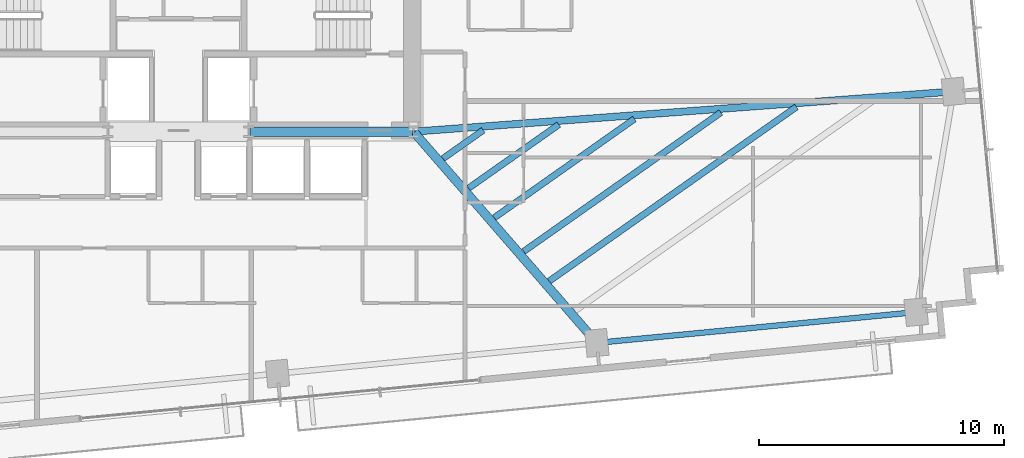
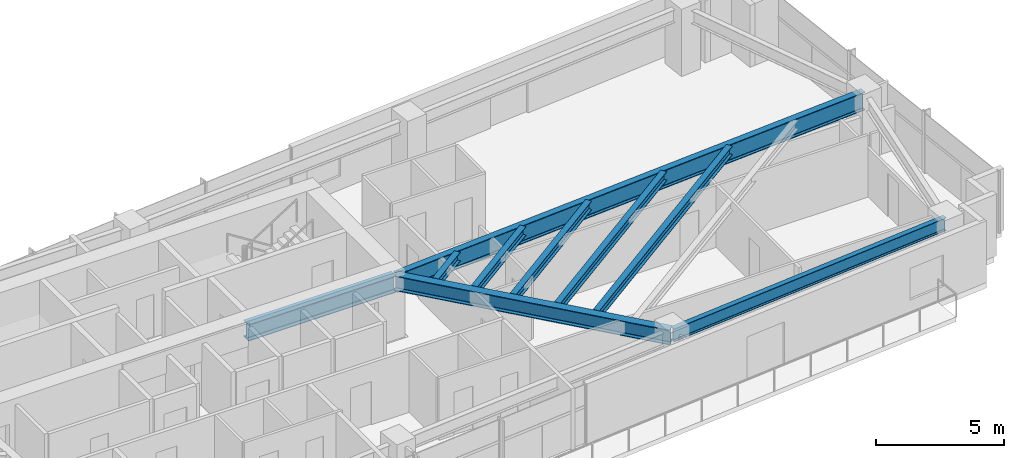
# One storey, part 13 of 27: 9 beams.
"""IFC4 building model written with IfcOpenShell, lengths in metres."""

from ifc_helpers import new_model, si_unit, direction, frame, origin, origin_2d, place, context, subcontext, project, spatial, i_section, extrude, source, transform, mapped, material, material_profile, profile_set, type_object, type_shapes, element, save


model = new_model("IFC4")

# Units and contexts
model_context = context("Model", 3, precision=1e-05, world=origin(), true_north=direction((0.0, 1.0)))
body_context = subcontext(model_context, "Body", "Model", "MODEL_VIEW")
ifc_project = project(units=[si_unit("LENGTHUNIT", "METRE"), si_unit("AREAUNIT", "SQUARE_METRE"), si_unit("VOLUMEUNIT", "CUBIC_METRE"), si_unit("PLANEANGLEUNIT", "RADIAN"), si_unit("MASSUNIT", "GRAM", prefix="KILO")], contexts=[model_context])

# Site, building, storey
site_placement = place(None, origin())
site = spatial("IfcSite", under=ifc_project, at=site_placement, CompositionType="ELEMENT")
building_placement = place(site_placement, origin())
building = spatial("IfcBuilding", under=site, at=building_placement, Name="Astriad Promenade Condominiums", CompositionType="ELEMENT")
storey_placement = place(building_placement, frame((0.0, 0.0, 113.0)))
storey = spatial("IfcBuildingStorey", under=building, at=storey_placement, Name="L32", CompositionType="ELEMENT", Elevation=113.0)

# Beams
ifc_material = material(Name="Steel ASTM A992 Grade 50", Category="steel")
ifc_material_profile_1 = material_profile(ifc_material, i_section(OverallWidth=0.3837890625, OverallDepth=0.785888671875, WebThickness=0.019775390625, FlangeThickness=0.033447265625, FilletRadius=0.021484375, at=origin_2d()), Name="W30X211")
ifc_profile_set_1 = profile_set([ifc_material_profile_1], Name="Steel ASTM A992 Grade 50")
beam_type_1 = type_object("IfcBeamType", Name="STEEL FLOOR GIRDER W30X211", PredefinedType="BEAM", material=ifc_profile_set_1)
shared_shape_1 = source(origin(), body_context, "Body", "SweptSolid", [
    extrude(i_section(OverallWidth=0.3837890625, OverallDepth=0.785888671875, WebThickness=0.019775390625, FlangeThickness=0.033447265625, FilletRadius=0.021484375, at=origin_2d()), origin(), (0.0, 0.0, 1.0), 6.64013671875),
])
type_shapes(beam_type_1, [shared_shape_1])
beam_1_placement = place(storey_placement, frame((38.919921875, 17.39990234375, 2.547119140625), z_axis=(1.0, 0.0, 0.0), x_axis=(0.0, 1.0, 0.0)))
element("IfcBeam", 1, at=beam_1_placement, inside=storey, type_object=beam_type_1, Name="Core Ring Beam CG-S3-L32", PredefinedType="BEAM", context=body_context, shape_type="MappedRepresentation", body=[
    mapped(shared_shape_1, transform((0.0, 0.0, 0.0), scale=1.0)),
])
ifc_material_profile_2 = material_profile(ifc_material, i_section(OverallWidth=0.22900390625, OverallDepth=0.612060546875, WebThickness=0.011962890625, FlangeThickness=0.01953125, FilletRadius=0.017822265625, at=origin_2d()), Name="W24X84")
ifc_profile_set_2 = profile_set([ifc_material_profile_2], Name="Steel ASTM A992 Grade 50")
beam_type_2 = type_object("IfcBeamType", Name="STEEL SPANDREL BEAM W24X84", PredefinedType="SPANDREL", material=ifc_profile_set_2)
shared_shape_2 = source(origin(), body_context, "Body", "SweptSolid", [
    extrude(i_section(OverallWidth=0.22900390625, OverallDepth=0.612060546875, WebThickness=0.011962890625, FlangeThickness=0.01953125, FilletRadius=0.017822265625, at=origin_2d()), origin(), (0.0, 0.0, 1.0), 13.020263671875),
])
type_shapes(beam_type_2, [shared_shape_2])
beam_2_placement = place(storey_placement, frame((53.124755859375, 8.780029296875, 2.6337890625), z_axis=(0.995395311238, 0.095854965264, 0.0), x_axis=(-0.095854965264, 0.995395311238, 0.0)))
element("IfcBeam", 2, at=beam_2_placement, inside=storey, type_object=beam_type_2, Name="Perimeter Spandrel Beam SP-S4-L32", PredefinedType="SPANDREL", context=body_context, shape_type="MappedRepresentation", body=[
    mapped(shared_shape_2, transform((0.0, 0.0, 0.0), scale=1.0)),
])
ifc_material_profile_3 = material_profile(ifc_material, i_section(OverallWidth=0.35791015625, OverallDepth=0.706298828125, WebThickness=0.018310546875, FlangeThickness=0.0302734375, FilletRadius=0.020263671875, at=origin_2d()), Name="W27X178")
ifc_profile_set_3 = profile_set([ifc_material_profile_3], Name="Steel ASTM A992 Grade 50")
beam_type_3 = type_object("IfcBeamType", Name="STEEL FLOOR GIRDER W27X178", PredefinedType="BEAM", material=ifc_profile_set_3)
shared_shape_3 = source(origin(), body_context, "Body", "SweptSolid", [
    extrude(i_section(OverallWidth=0.35791015625, OverallDepth=0.706298828125, WebThickness=0.018310546875, FlangeThickness=0.0302734375, FilletRadius=0.020263671875, at=origin_2d()), origin(), (0.0, 0.0, 1.0), 11.339111328125),
])
type_shapes(beam_type_3, [shared_shape_3])
beam_3_placement = place(storey_placement, frame((53.058837890625, 8.806396484375, 2.5869140625), z_axis=(-0.65548120109, 0.755211490258, 0.0), x_axis=(-0.755211490258, -0.65548120109, 0.0)))
element("IfcBeam", 3, at=beam_3_placement, inside=storey, type_object=beam_type_3, Name="Primary Floor Girder PG-E2-L32", PredefinedType="BEAM", context=body_context, shape_type="MappedRepresentation", body=[
    mapped(shared_shape_3, transform((0.0, 0.0, 0.0), scale=1.0)),
])
ifc_material_profile_4 = material_profile(ifc_material, i_section(OverallWidth=0.2919921875, OverallDepth=0.85888671875, WebThickness=0.01708984375, FlangeThickness=0.031005859375, FilletRadius=0.02294921875, at=origin_2d()), Name="W33X169")
ifc_profile_set_4 = profile_set([ifc_material_profile_4], Name="Steel ASTM A992 Grade 50")
beam_type_4 = type_object("IfcBeamType", Name="STEEL PRIMARY GIRDER W33X169", PredefinedType="BEAM", material=ifc_profile_set_4)
shared_shape_4 = source(origin(), body_context, "Body", "SweptSolid", [
    extrude(i_section(OverallWidth=0.2919921875, OverallDepth=0.85888671875, WebThickness=0.01708984375, FlangeThickness=0.031005859375, FilletRadius=0.02294921875, at=origin_2d()), origin(), (0.0, 0.0, 1.0), 22.029052734375),
])
type_shapes(beam_type_4, [shared_shape_4])
beam_4_placement = place(storey_placement, frame((67.6083984375, 19.036376953125, 2.510498046875), z_axis=(-0.99724763887, -0.074142745897, 0.0), x_axis=(0.074142745897, -0.99724763887, 0.0)))
element("IfcBeam", 4, at=beam_4_placement, inside=storey, type_object=beam_type_4, Name="Primary Floor Girder PG-EM-L32", PredefinedType="BEAM", context=body_context, shape_type="MappedRepresentation", body=[
    mapped(shared_shape_4, transform((0.0, 0.0, 0.0), scale=1.0)),
])
ifc_material_profile_5 = material_profile(ifc_material, i_section(OverallWidth=0.26318359375, OverallDepth=0.425537109375, WebThickness=0.01318359375, FlangeThickness=0.022216796875, FilletRadius=0.013916015625, at=origin_2d()), Name="W16X89")
ifc_profile_set_5 = profile_set([ifc_material_profile_5], Name="Steel ASTM A992 Grade 50")
beam_type_5 = type_object("IfcBeamType", Name="STEEL FLOOR JOIST W16X89", PredefinedType="JOIST", material=ifc_profile_set_5)
shared_shape_5 = source(origin(), body_context, "Body", "SweptSolid", [
    extrude(i_section(OverallWidth=0.26318359375, OverallDepth=0.425537109375, WebThickness=0.01318359375, FlangeThickness=0.022216796875, FilletRadius=0.013916015625, at=origin_2d()), origin(), (0.0, 0.0, 1.0), 12.34375),
])
beam_5_placement = place(storey_placement, frame((51.144287109375, 11.30029296875, 2.727294921875), z_axis=(0.817418723738, 0.576043948048, 0.0), x_axis=(-0.576043948048, 0.817418723738, 0.0)))
element("IfcBeam", 5, at=beam_5_placement, inside=storey, type_object=beam_type_5, Name="Secondary Composite Floor Joist JE1-2-L32", PredefinedType="JOIST", context=body_context, shape_type="MappedRepresentation", body=[
    mapped(shared_shape_5, transform((0.0, 0.0, 0.0), scale=1.0)),
])
shared_shape_6 = source(origin(), body_context, "Body", "SweptSolid", [
    extrude(i_section(OverallWidth=0.26318359375, OverallDepth=0.425537109375, WebThickness=0.01318359375, FlangeThickness=0.022216796875, FilletRadius=0.013916015625, at=origin_2d()), origin(), (0.0, 0.0, 1.0), 9.849609375),
])
beam_6_placement = place(storey_placement, frame((50.096435546875, 12.507568359375, 2.727294921875), z_axis=(0.817418240833, 0.5760446333, 0.0), x_axis=(-0.5760446333, 0.817418240833, 0.0)))
element("IfcBeam", 6, at=beam_6_placement, inside=storey, type_object=beam_type_5, Name="Secondary Composite Floor Joist JE1-3-L32", PredefinedType="JOIST", context=body_context, shape_type="MappedRepresentation", body=[
    mapped(shared_shape_6, transform((0.0, 0.0, 0.0), scale=1.0)),
])
shared_shape_7 = source(origin(), body_context, "Body", "SweptSolid", [
    extrude(i_section(OverallWidth=0.26318359375, OverallDepth=0.425537109375, WebThickness=0.01318359375, FlangeThickness=0.022216796875, FilletRadius=0.013916015625, at=origin_2d()), origin(), (0.0, 0.0, 1.0), 6.9990234375),
])
beam_7_placement = place(storey_placement, frame((48.898681640625, 13.88720703125, 2.727294921875), z_axis=(0.81742196028, 0.576039355298, 0.0), x_axis=(-0.576039355298, 0.81742196028, 0.0)))
element("IfcBeam", 7, at=beam_7_placement, inside=storey, type_object=beam_type_5, Name="Secondary Composite Floor Joist JE1-4-L32", PredefinedType="JOIST", context=body_context, shape_type="MappedRepresentation", body=[
    mapped(shared_shape_7, transform((0.0, 0.0, 0.0), scale=1.0)),
])
shared_shape_8 = source(origin(), body_context, "Body", "SweptSolid", [
    extrude(i_section(OverallWidth=0.26318359375, OverallDepth=0.425537109375, WebThickness=0.01318359375, FlangeThickness=0.022216796875, FilletRadius=0.013916015625, at=origin_2d()), origin(), (0.0, 0.0, 1.0), 4.504638671875),
])
beam_8_placement = place(storey_placement, frame((47.850830078125, 15.0947265625, 2.727294921875), z_axis=(0.817448215019, 0.576002097012, 0.0), x_axis=(-0.576002097012, 0.817448215019, 0.0)))
element("IfcBeam", 8, at=beam_8_placement, inside=storey, type_object=beam_type_5, Name="Secondary Composite Floor Joist JE1-5-L32", PredefinedType="JOIST", context=body_context, shape_type="MappedRepresentation", body=[
    mapped(shared_shape_8, transform((0.0, 0.0, 0.0), scale=1.0)),
])
shared_shape_9 = source(origin(), body_context, "Body", "SweptSolid", [
    extrude(i_section(OverallWidth=0.26318359375, OverallDepth=0.425537109375, WebThickness=0.01318359375, FlangeThickness=0.022216796875, FilletRadius=0.013916015625, at=origin_2d()), origin(), (0.0, 0.0, 1.0), 2.01025390625),
])
type_shapes(beam_type_5, [shared_shape_5, shared_shape_6, shared_shape_7, shared_shape_8, shared_shape_9])
beam_9_placement = place(storey_placement, frame((46.802978515625, 16.302001953125, 2.727294921875), z_axis=(0.8174421453, 0.576010710913, 0.0), x_axis=(-0.576010710913, 0.8174421453, 0.0)))
element("IfcBeam", 9, at=beam_9_placement, inside=storey, type_object=beam_type_5, Name="Secondary Composite Floor Joist JE1-6-L32", PredefinedType="JOIST", context=body_context, shape_type="MappedRepresentation", body=[
    mapped(shared_shape_9, transform((0.0, 0.0, 0.0), scale=1.0)),
])

save(model, "model.ifc")
